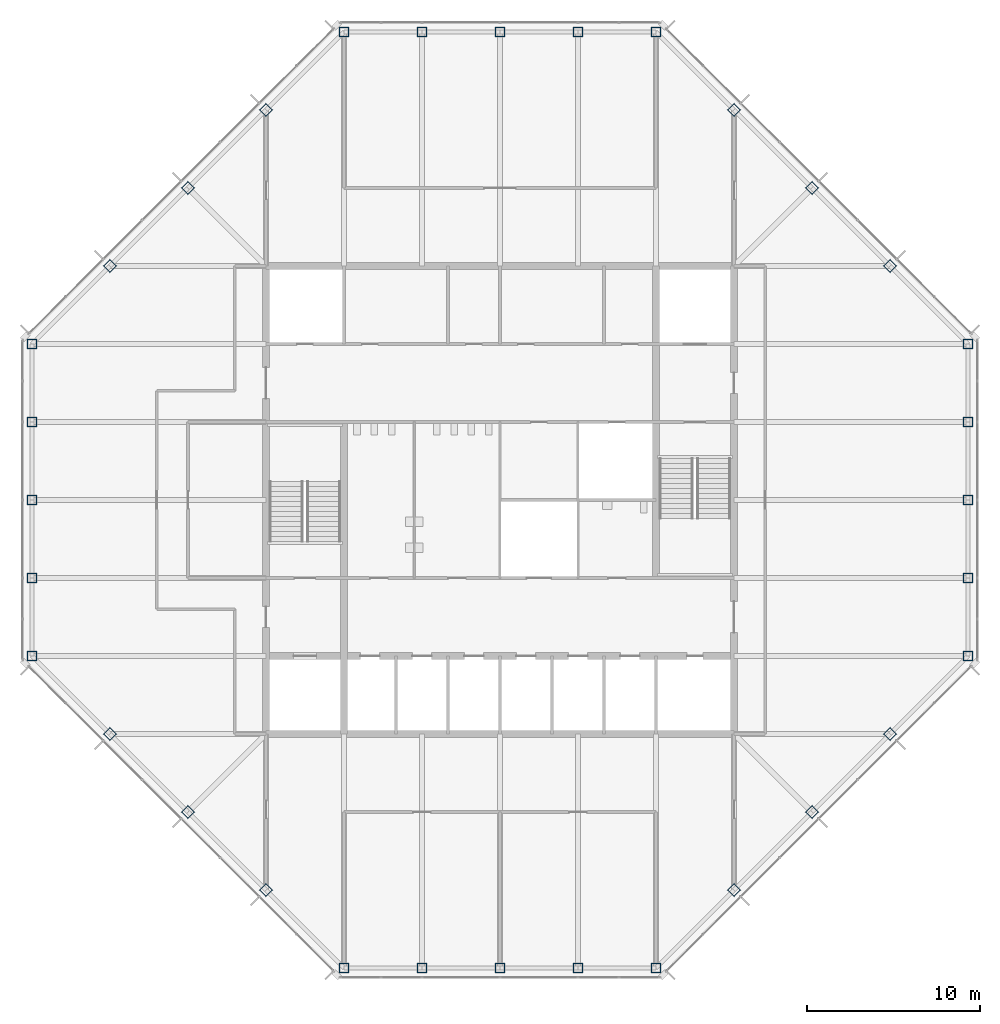
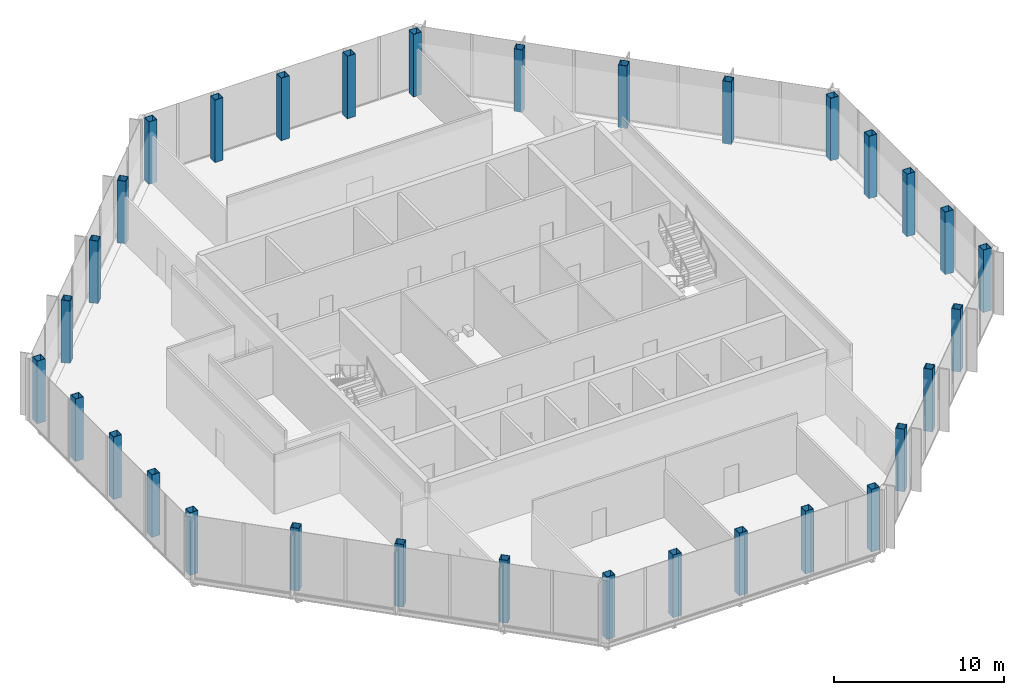
# One storey, part 1 of 13: 32 columns.
"""IFC4 building model written with IfcOpenShell, lengths in metres."""

import ifcopenshell
import ifcopenshell.guid

model = None  # the IFC model being written
_history = None  # IfcOwnerHistory: only IFC2X3 demands one
_inside = {}  # id of a spatial element -> (the spatial element, [elements in it])
_under = {}  # id of a project, library or spatial element -> (it, [spatial elements below it])
_declared = {}  # id of a project -> (the project, [libraries it declares])
_typed = {}  # id of a type object -> (the type object, [elements of that type])
_made_of = {}  # id of a material, layer set ... -> (it, [elements and type objects made of it])


def new_model(schema):
    """Start an empty IFC model of exactly this schema.

    Asked for "IFC4X3", IfcOpenShell would pick the latest addendum, in which some entities
    have other attributes; the version numbers below select the first issue.
    IFC2X3 requires an IfcOwnerHistory on every rooted entity: one is made here for all.
    """
    global model, _history
    if schema == "IFC4X3":
        model = ifcopenshell.file(schema_version=(4, 3, 0, 0))
    else:
        model = ifcopenshell.file(schema=schema)
    _inside.clear()
    _under.clear()
    _declared.clear()
    _typed.clear()
    _made_of.clear()
    _history = None
    if model.schema == "IFC2X3":
        org = make("IfcOrganization", Name="unknown")
        user = make(
            "IfcPersonAndOrganization",
            ThePerson=make("IfcPerson", FamilyName="unknown"),
            TheOrganization=org,
        )
        app = make(
            "IfcApplication",
            ApplicationDeveloper=org,
            Version="unknown",
            ApplicationFullName="unknown",
            ApplicationIdentifier="unknown",
        )
        _history = make(
            "IfcOwnerHistory",
            OwningUser=user,
            OwningApplication=app,
            ChangeAction="ADDED",
            CreationDate=0,
        )
    return model


def make(cls, **values):
    """One entity of the class cls with the attributes given. An attribute that is None is left unset."""
    return model.create_entity(
        cls, **{name: value for name, value in values.items() if value is not None}
    )


def rooted(cls, **values):
    """An entity with a GlobalId (a new one), such as an element, a storey or a relation."""
    return make(cls, GlobalId=ifcopenshell.guid.new(), OwnerHistory=_history, **values)


def si_unit(unit_type, name, prefix=None):
    """IfcSIUnit, for example si_unit("LENGTHUNIT", "METRE", prefix="MILLI")."""
    return make("IfcSIUnit", UnitType=unit_type, Prefix=prefix, Name=name)


def assignment(units):
    """IfcUnitAssignment: the units of a project."""
    return None if units is None else make("IfcUnitAssignment", Units=units)


def point(xyz):
    """IfcCartesianPoint."""
    return None if xyz is None else make("IfcCartesianPoint", Coordinates=xyz)


def direction(xyz):
    """IfcDirection."""
    return None if xyz is None else make("IfcDirection", DirectionRatios=xyz)


def frame(location, z_axis=None, x_axis=None):
    """IfcAxis2Placement3D, a coordinate frame: its origin and axes. An axis left out is left unset."""
    return make(
        "IfcAxis2Placement3D",
        Location=point(location),
        Axis=direction(z_axis),
        RefDirection=direction(x_axis),
    )


def frame_2d(location, x_axis=None):
    """IfcAxis2Placement2D, a coordinate frame in the plane: its origin and x axis."""
    return make(
        "IfcAxis2Placement2D", Location=point(location), RefDirection=direction(x_axis)
    )


def origin():
    """The frame at (0, 0, 0) with its axes left unset."""
    return frame((0.0, 0.0, 0.0))


def origin_2d():
    """The frame at (0, 0) in the plane with its x axis left unset."""
    return frame_2d((0.0, 0.0))


def place(relative_to, where):
    """IfcLocalPlacement: puts the frame where relative to a parent placement (None: the world)."""
    return make(
        "IfcLocalPlacement", PlacementRelTo=relative_to, RelativePlacement=where
    )


def context(
    kind, dimensions, precision=None, world=None, true_north=None, identifier=None
):
    """IfcGeometricRepresentationContext, for example the 3D "Model" context."""
    return make(
        "IfcGeometricRepresentationContext",
        ContextIdentifier=identifier,
        ContextType=kind,
        CoordinateSpaceDimension=dimensions,
        Precision=precision,
        WorldCoordinateSystem=world,
        TrueNorth=true_north,
    )


def subcontext(parent, identifier, kind, view, scale=None):
    """IfcGeometricRepresentationSubContext, for example "Body" below "Model"."""
    return make(
        "IfcGeometricRepresentationSubContext",
        ContextIdentifier=identifier,
        ContextType=kind,
        ParentContext=parent,
        TargetScale=scale,
        TargetView=view,
    )


def project(units=None, contexts=None):
    """IfcProject with its units and contexts."""
    return rooted(
        "IfcProject",
        Name="project",
        RepresentationContexts=contexts,
        UnitsInContext=assignment(units),
    )


def spatial(cls, under=None, at=None, **own):
    """A site, building, storey or space (cls), placed at a placement, below another one or the project."""
    s = rooted(cls, ObjectPlacement=at, **own)
    if under is not None:
        _under.setdefault(under.id(), (under, []))[1].append(s)
    return s


def profile(cls, at=None, kind="AREA", **sizes):
    """A parametric profile (cls). Its sizes go by their IFC names, for example OverallWidth=200.0."""
    return make(cls, ProfileType=kind, Position=at, **sizes)


def hollow_rectangle(**sizes):
    """IfcRectangleHollowProfileDef."""
    return profile("IfcRectangleHollowProfileDef", **sizes)


def extrude(swept, where, along, depth):
    """IfcExtrudedAreaSolid: the profile swept, set in the frame where, extruded along a direction by depth."""
    return make(
        "IfcExtrudedAreaSolid",
        SweptArea=swept,
        Position=where,
        ExtrudedDirection=direction(along),
        Depth=depth,
    )


def shape(context_of_items, identifier, shape_type, items):
    """IfcShapeRepresentation: the items that make up one representation, for example the "Body"."""
    return make(
        "IfcShapeRepresentation",
        ContextOfItems=context_of_items,
        RepresentationIdentifier=identifier,
        RepresentationType=shape_type,
        Items=items,
    )


def material(Name=None, Category=None):
    """IfcMaterial."""
    return make("IfcMaterial", Name=Name, Category=Category)


def material_profile(
    of_material, cross_section, Name=None, Category=None, Priority=None
):
    """IfcMaterialProfile: a cross section and its material."""
    return make(
        "IfcMaterialProfile",
        Name=Name,
        Material=of_material,
        Profile=cross_section,
        Priority=Priority,
        Category=Category,
    )


def profile_set(profiles, Name=None, composite=None):
    """IfcMaterialProfileSet."""
    return make(
        "IfcMaterialProfileSet",
        Name=Name,
        MaterialProfiles=profiles,
        CompositeProfile=composite,
    )


def made_of(thing, what):
    """Note that an element or type object is made of a material, layer set ...; save() writes the relation."""
    if what is not None:
        _made_of.setdefault(what.id(), (what, []))[1].append(thing)
    return thing


def type_object(cls, material=None, **own):
    """A type object (cls), such as IfcWallType, which elements share."""
    return made_of(rooted(cls, **own), material)


def element(
    cls,
    number,
    at=None,
    inside=None,
    cuts=None,
    type_object=None,
    material=None,
    context=None,
    identifier="Body",
    shape_type=None,
    held_by="IfcProductDefinitionShape",
    body=None,
    shapes=None,
    **own,
):
    """One element of the class cls, such as IfcWall. Its Tag is "e" and its number.

    at: its placement. inside: the storey or other place that contains it. cuts: it is an
    opening in that element (IfcRelVoidsElement). A single representation is given by context,
    identifier, shape_type and body (its items); several are given by shapes. held_by: the class
    of the entity that holds the representations. save() writes the other relations.
    """
    e = rooted(cls, Tag="e%d" % number, ObjectPlacement=at, **own)
    if body is not None:
        shapes = [shape(context, identifier, shape_type, body)]
    if shapes is not None:
        e.Representation = make(held_by, Representations=shapes)
    if inside is not None:
        _inside.setdefault(inside.id(), (inside, []))[1].append(e)
    if cuts is not None:
        rooted(
            "IfcRelVoidsElement", RelatingBuildingElement=cuts, RelatedOpeningElement=e
        )
    if type_object is not None:
        _typed.setdefault(type_object.id(), (type_object, []))[1].append(e)
    return made_of(e, material)


def aggregate(whole, parts):
    """IfcRelAggregates: a whole, such as a stair, and the parts it consists of."""
    return rooted("IfcRelAggregates", RelatingObject=whole, RelatedObjects=parts)


def save(model, path):
    """Write the relations noted so far, then the file.

    IfcRelAggregates (storeys below a building ...), IfcRelContainedInSpatialStructure (elements
    in a storey), IfcRelDefinesByType, IfcRelAssociatesMaterial and IfcRelDeclares: one each for
    every whole, place, type object, material and project.
    """
    for whole, parts in _under.values():
        aggregate(whole, parts)
    for where, things in _inside.values():
        rooted(
            "IfcRelContainedInSpatialStructure",
            RelatedElements=things,
            RelatingStructure=where,
        )
    for kind, things in _typed.values():
        rooted("IfcRelDefinesByType", RelatedObjects=things, RelatingType=kind)
    for what, things in _made_of.values():
        rooted("IfcRelAssociatesMaterial", RelatedObjects=things, RelatingMaterial=what)
    for by, libraries in _declared.values():
        rooted("IfcRelDeclares", RelatingContext=by, RelatedDefinitions=libraries)
    model.write(path)


model = new_model("IFC4")

# Units and contexts
model_context = context("Model", 3, precision=1e-05, world=origin(), true_north=direction((0.0, 1.0)))
body_context = subcontext(model_context, "Body", "Model", "MODEL_VIEW")
ifc_project = project(units=[si_unit("LENGTHUNIT", "METRE"), si_unit("AREAUNIT", "SQUARE_METRE"), si_unit("VOLUMEUNIT", "CUBIC_METRE"), si_unit("PLANEANGLEUNIT", "RADIAN"), si_unit("MASSUNIT", "GRAM", prefix="KILO")], contexts=[model_context])

# Site, building, storey
site_placement = place(None, origin())
site = spatial("IfcSite", under=ifc_project, at=site_placement, CompositionType="ELEMENT")
building_placement = place(site_placement, origin())
building = spatial("IfcBuilding", under=site, at=building_placement, Name="Corais Broadcast Tower", CompositionType="ELEMENT")
storey_placement = place(building_placement, frame((0.0, 0.0, 310.60009765625)))
storey = spatial("IfcBuildingStorey", under=building, at=storey_placement, Name="L73", CompositionType="ELEMENT", Elevation=310.60009765625)

# Columns
ifc_material = material(Name="Steel ASTM A572 Grade 50", Category="steel")
ifc_material_profile = material_profile(ifc_material, hollow_rectangle(XDim=0.550048828125, YDim=0.550048828125, WallThickness=0.02490234375, at=origin_2d()), Name="BOX 550x550x25")
ifc_profile_set = profile_set([ifc_material_profile], Name="Steel ASTM A572 Grade 50")
column_type = type_object("IfcColumnType", Name="Column BOX 550x550x25", PredefinedType="COLUMN", material=ifc_profile_set)
for number, where, z_axis, x_axis, name in (
    (1, (18.0, 0.0, 0.0), (0.0, 0.0, 1.0), (1.0, 0.0, 0.0), "C8 A/7"),
    (2, (22.5, 0.0, 0.0), (0.0, 0.0, 1.0), (1.0, 0.0, 0.0), "C8 A/8"),
    (3, (27.0, 0.0, 0.0), (0.0, 0.0, 1.0), (1.0, 0.0, 0.0), "C8 A/9"),
    (4, (31.5, 0.0, 0.0), (0.0, 0.0, 1.0), (1.0, 0.0, 0.0), "C8 A/10"),
    (5, (36.0, 0.0, 0.0), (0.0, 0.0, 1.0), (1.0, 0.0, 0.0), "C8 A/11"),
    (6, (54.0, 18.0, 0.0), (0.0, 0.0, 1.0), (1.0, 0.0, 0.0), "C8 E/15"),
    (7, (54.0, 22.5, 0.0), (0.0, 0.0, 1.0), (1.0, 0.0, 0.0), "C8 F/15"),
    (8, (54.0, 27.0, 0.0), (0.0, 0.0, 1.0), (1.0, 0.0, 0.0), "C8 G/15"),
    (9, (54.0, 31.5, 0.0), (0.0, 0.0, 1.0), (1.0, 0.0, 0.0), "C8 H/15"),
    (10, (54.0, 36.0, 0.0), (0.0, 0.0, 1.0), (1.0, 0.0, 0.0), "C8 J/15"),
    (11, (36.0, 54.0, 0.0), (0.0, 0.0, 1.0), (1.0, 0.0, 0.0), "C8 N/11"),
    (12, (31.5, 54.0, 0.0), (0.0, 0.0, 1.0), (1.0, 0.0, 0.0), "C8 N/10"),
    (13, (27.0, 54.0, 0.0), (0.0, 0.0, 1.0), (1.0, 0.0, 0.0), "C8 N/9"),
    (14, (22.5, 54.0, 0.0), (0.0, 0.0, 1.0), (1.0, 0.0, 0.0), "C8 N/8"),
    (15, (18.0, 54.0, 0.0), (0.0, 0.0, 1.0), (1.0, 0.0, 0.0), "C8 N/7"),
    (16, (0.0, 36.0, 0.0), (0.0, 0.0, 1.0), (1.0, 0.0, 0.0), "C8 J/3"),
    (17, (0.0, 31.5, 0.0), (0.0, 0.0, 1.0), (1.0, 0.0, 0.0), "C8 H/3"),
    (18, (0.0, 27.0, 0.0), (0.0, 0.0, 1.0), (1.0, 0.0, 0.0), "C8 G/3"),
    (19, (0.0, 22.5, 0.0), (0.0, 0.0, 1.0), (1.0, 0.0, 0.0), "C8 F/3"),
    (20, (0.0, 18.0, 0.0), (0.0, 0.0, 1.0), (1.0, 0.0, 0.0), "C8 E/3"),
    (21, (13.5, 4.5, 0.0), (0.0, 0.0, 1.0), (0.707106781187, 0.707106781187, 0.0), "C8 B/6"),
    (22, (9.0, 9.0, 0.0), (0.0, 0.0, 1.0), (0.707106781187, 0.707106781187, 0.0), "C8 C/5"),
    (23, (4.5, 13.5, 0.0), (0.0, 0.0, 1.0), (0.707106781187, 0.707106781187, 0.0), "C8 D/4"),
    (24, (40.5, 4.5, 0.0), (0.0, 0.0, 1.0), (0.707106781187, 0.707106781187, 0.0), "C8 B/12"),
    (25, (45.0, 9.0, 0.0), (0.0, 0.0, 1.0), (0.707106781187, 0.707106781187, 0.0), "C8 C/13"),
    (26, (49.5, 13.5, 0.0), (0.0, 0.0, 1.0), (0.707106781187, 0.707106781187, 0.0), "C8 D/14"),
    (27, (49.5, 40.5, 0.0), (0.0, 0.0, 1.0), (0.707106781187, 0.707106781187, 0.0), "C8 K/14"),
    (28, (45.0, 45.0, 0.0), (0.0, 0.0, 1.0), (0.707106781187, 0.707106781187, 0.0), "C8 L/13"),
    (29, (40.5, 49.5, 0.0), (0.0, 0.0, 1.0), (0.707106781187, 0.707106781187, 0.0), "C8 M/12"),
    (30, (4.5, 40.5, 0.0), (0.0, 0.0, 1.0), (0.707106781187, 0.707106781187, 0.0), "C8 K/4"),
    (31, (9.0, 45.0, 0.0), (0.0, 0.0, 1.0), (0.707106781187, 0.707106781187, 0.0), "C8 L/5"),
    (32, (13.5, 49.5, 0.0), (0.0, 0.0, 1.0), (0.707106781187, 0.707106781187, 0.0), "C8 M/6"),
):
    element("IfcColumn", number, at=place(storey_placement, frame(where, z_axis=z_axis, x_axis=x_axis)), inside=storey, type_object=column_type, Name=name, PredefinedType="COLUMN", context=body_context, shape_type="SweptSolid", body=[
        extrude(hollow_rectangle(XDim=0.550048828125, YDim=0.550048828125, WallThickness=0.02490234375, at=origin_2d()), origin(), (0.0, 0.0, 1.0), 4.5),
    ])

save(model, "model.ifc")
